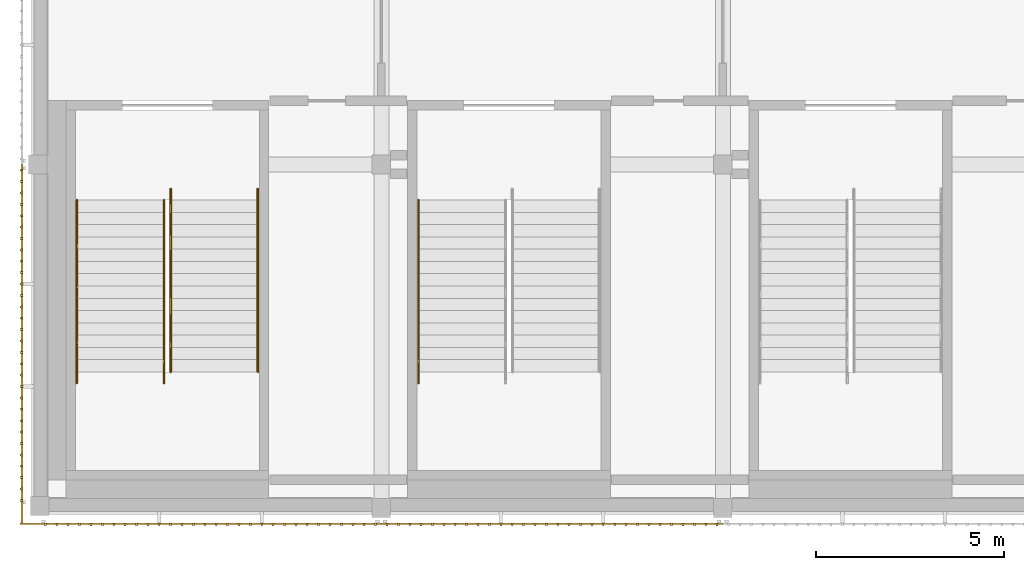
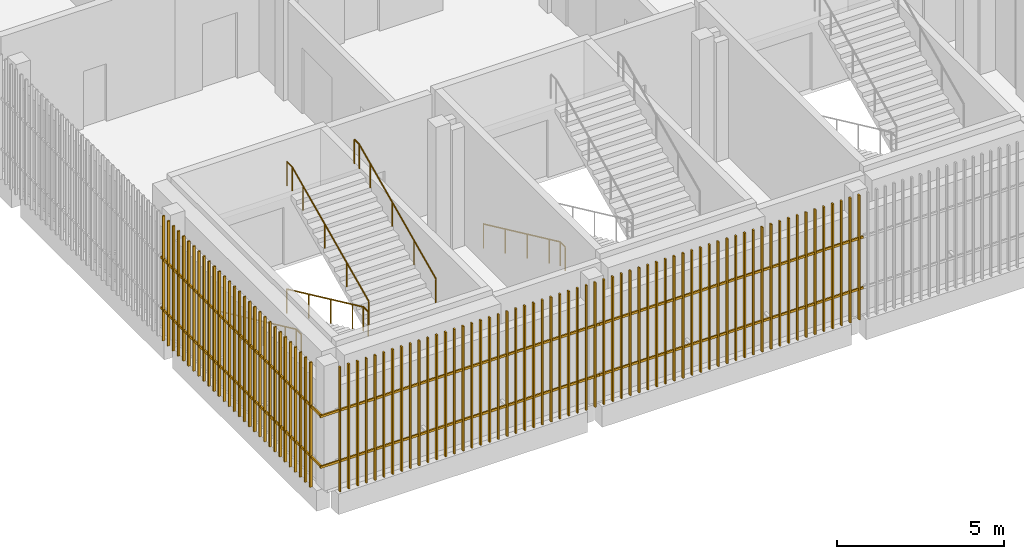
# One storey, part 74 of 91: 5 railings, 3 shading devices.
"""IFC4 building model written with IfcOpenShell, lengths in metres."""

from ifc_helpers import new_model, si_unit, direction, frame, origin, origin_2d, place, context, subcontext, project, spatial, rectangle, circle, extrude, material, type_object, element, save


model = new_model("IFC4")

# Units and contexts
model_context = context("Model", 3, precision=1e-05, world=origin(), true_north=direction((0.0, 1.0)))
body_context = subcontext(model_context, "Body", "Model", "MODEL_VIEW")
ifc_project = project(units=[si_unit("LENGTHUNIT", "METRE"), si_unit("AREAUNIT", "SQUARE_METRE"), si_unit("VOLUMEUNIT", "CUBIC_METRE"), si_unit("PLANEANGLEUNIT", "RADIAN"), si_unit("MASSUNIT", "GRAM", prefix="KILO")], contexts=[model_context])

# Site, building, storey
site_placement = place(None, origin())
site = spatial("IfcSite", under=ifc_project, at=site_placement, CompositionType="ELEMENT")
building_placement = place(site_placement, origin())
building = spatial("IfcBuilding", under=site, at=building_placement, Name="Shirokan Park Arena", CompositionType="ELEMENT")
storey_placement = place(building_placement, frame((0.0, 0.0, 24.570068359375)))
storey = spatial("IfcBuildingStorey", under=building, at=storey_placement, Name="L05", CompositionType="ELEMENT", Elevation=24.570068359375)

# Railings
ifc_material_1 = material(Name="Stainless steel", Category="steel")
railing_type = type_object("IfcRailingType", Name="Stair handrail 900", PredefinedType="HANDRAIL", material=ifc_material_1)
railing_1_placement = place(storey_placement, frame((0.989990234375, 8.14990234375, 0.151611328125)))
element("IfcRailing", 1, at=railing_1_placement, inside=storey, type_object=railing_type, Name="Handrail Exit Stair 1.A L05 to L06", PredefinedType="HANDRAIL", context=body_context, shape_type="SweptSolid", body=[
    extrude(circle(Radius=0.02392578125, at=origin_2d()), frame((0.0, 0.0, 0.8759765625), z_axis=(0.0, -0.906999720516, 0.421131222998), x_axis=(1.0, 0.0, 0.0)), (0.0, 0.0, 1.0), 1.440673828125),
    extrude(circle(Radius=0.02392578125, at=origin_2d()), frame((0.0, -1.306640625, 1.482421875), z_axis=(0.0, -0.907029769225, 0.421066500378), x_axis=(1.0, 0.0, 0.0)), (0.0, 0.0, 1.0), 1.44091796875),
    extrude(circle(Radius=0.02392578125, at=origin_2d()), frame((0.0, -2.613525390625, 2.08935546875), z_axis=(0.0, -0.907029769225, 0.421066500378), x_axis=(1.0, 0.0, 0.0)), (0.0, 0.0, 1.0), 1.44091796875),
    extrude(circle(Radius=0.02392578125, at=origin_2d()), frame((0.0, -3.92041015625, 2.69580078125), z_axis=(0.0, -0.907064445915, 0.420991794405), x_axis=(1.0, 0.0, 0.0)), (0.0, 0.0, 1.0), 0.72021484375),
    extrude(circle(Radius=0.02392578125, at=origin_2d()), frame((0.0, -4.57373046875, 2.9990234375), z_axis=(0.0, -1.0, 0.0), x_axis=(1.0, 0.0, 0.0)), (0.0, 0.0, 1.0), 0.300048828125),
    extrude(circle(Radius=0.02099609375, at=origin_2d()), origin(), (0.0, 0.0, 1.0), 0.851806640625),
    extrude(circle(Radius=0.02099609375, at=origin_2d()), frame((0.0, -1.306640625, 0.606689453125)), (0.0, 0.0, 1.0), 0.851806640625),
    extrude(circle(Radius=0.02099609375, at=origin_2d()), frame((0.0, -2.613525390625, 1.21337890625)), (0.0, 0.0, 1.0), 0.851806640625),
    extrude(circle(Radius=0.02099609375, at=origin_2d()), frame((0.0, -3.92041015625, 1.820068359375)), (0.0, 0.0, 1.0), 0.851806640625),
    extrude(circle(Radius=0.02099609375, at=origin_2d()), frame((0.0, -4.57373046875, 2.123291015625)), (0.0, 0.0, 1.0), 0.851806640625),
    extrude(circle(Radius=0.02099609375, at=origin_2d()), frame((0.0, -4.873779296875, 2.123291015625)), (0.0, 0.0, 1.0), 0.851806640625),
])
railing_2_placement = place(storey_placement, frame((3.31005859375, 8.14990234375, 0.151611328125)))
element("IfcRailing", 2, at=railing_2_placement, inside=storey, type_object=railing_type, Name="Handrail Exit Stair 1.A L05 to L06", PredefinedType="HANDRAIL", context=body_context, shape_type="SweptSolid", body=[
    extrude(circle(Radius=0.02392578125, at=origin_2d()), frame((0.0, 0.0, 0.8759765625), z_axis=(0.0, -0.906999720516, 0.421131222998), x_axis=(1.0, 0.0, 0.0)), (0.0, 0.0, 1.0), 1.440673828125),
    extrude(circle(Radius=0.02392578125, at=origin_2d()), frame((0.0, -1.306640625, 1.482421875), z_axis=(0.0, -0.907029769225, 0.421066500378), x_axis=(1.0, 0.0, 0.0)), (0.0, 0.0, 1.0), 1.44091796875),
    extrude(circle(Radius=0.02392578125, at=origin_2d()), frame((0.0, -2.613525390625, 2.08935546875), z_axis=(0.0, -0.907029769225, 0.421066500378), x_axis=(1.0, 0.0, 0.0)), (0.0, 0.0, 1.0), 1.44091796875),
    extrude(circle(Radius=0.02392578125, at=origin_2d()), frame((0.0, -3.92041015625, 2.69580078125), z_axis=(0.0, -0.907064445915, 0.420991794405), x_axis=(1.0, 0.0, 0.0)), (0.0, 0.0, 1.0), 0.72021484375),
    extrude(circle(Radius=0.02392578125, at=origin_2d()), frame((0.0, -4.57373046875, 2.9990234375), z_axis=(0.0, -1.0, 0.0), x_axis=(1.0, 0.0, 0.0)), (0.0, 0.0, 1.0), 0.300048828125),
    extrude(circle(Radius=0.02099609375, at=origin_2d()), origin(), (0.0, 0.0, 1.0), 0.851806640625),
    extrude(circle(Radius=0.02099609375, at=origin_2d()), frame((0.0, -1.306640625, 0.606689453125)), (0.0, 0.0, 1.0), 0.851806640625),
    extrude(circle(Radius=0.02099609375, at=origin_2d()), frame((0.0, -2.613525390625, 1.21337890625)), (0.0, 0.0, 1.0), 0.851806640625),
    extrude(circle(Radius=0.02099609375, at=origin_2d()), frame((0.0, -3.92041015625, 1.820068359375)), (0.0, 0.0, 1.0), 0.851806640625),
    extrude(circle(Radius=0.02099609375, at=origin_2d()), frame((0.0, -4.57373046875, 2.123291015625)), (0.0, 0.0, 1.0), 0.851806640625),
    extrude(circle(Radius=0.02099609375, at=origin_2d()), frame((0.0, -4.873779296875, 2.123291015625)), (0.0, 0.0, 1.0), 0.851806640625),
])
railing_3_placement = place(storey_placement, frame((3.489990234375, 3.576171875, 2.426513671875)))
element("IfcRailing", 3, at=railing_3_placement, inside=storey, type_object=railing_type, Name="Handrail Exit Stair 1.A L05 to L06", PredefinedType="HANDRAIL", context=body_context, shape_type="SweptSolid", body=[
    extrude(circle(Radius=0.02392578125, at=origin_2d()), frame((0.0, 0.0, 0.8759765625), z_axis=(0.0, 0.907029769225, 0.421066500378), x_axis=(-1.0, 0.0, 0.0)), (0.0, 0.0, 1.0), 1.44091796875),
    extrude(circle(Radius=0.02392578125, at=origin_2d()), frame((0.0, 1.306884765625, 1.482421875), z_axis=(0.0, 0.906999720516, 0.421131222998), x_axis=(-1.0, 0.0, 0.0)), (0.0, 0.0, 1.0), 1.440673828125),
    extrude(circle(Radius=0.02392578125, at=origin_2d()), frame((0.0, 2.613525390625, 2.08935546875), z_axis=(0.0, 0.907029769225, 0.421066500378), x_axis=(-1.0, 0.0, 0.0)), (0.0, 0.0, 1.0), 1.44091796875),
    extrude(circle(Radius=0.02392578125, at=origin_2d()), frame((0.0, 3.92041015625, 2.69580078125), z_axis=(0.0, 0.906934982928, 0.421270621741), x_axis=(-1.0, 0.0, 0.0)), (0.0, 0.0, 1.0), 0.720458984375),
    extrude(circle(Radius=0.02392578125, at=origin_2d()), frame((0.0, 4.57373046875, 2.99951171875), z_axis=(0.0, 1.0, 0.0), x_axis=(-1.0, 0.0, 0.0)), (0.0, 0.0, 1.0), 0.300048828125),
    extrude(circle(Radius=0.02099609375, at=origin_2d()), origin(), (0.0, 0.0, 1.0), 0.851806640625),
    extrude(circle(Radius=0.02099609375, at=origin_2d()), frame((0.0, 1.306884765625, 0.606689453125)), (0.0, 0.0, 1.0), 0.851806640625),
    extrude(circle(Radius=0.02099609375, at=origin_2d()), frame((0.0, 2.613525390625, 1.21337890625)), (0.0, 0.0, 1.0), 0.851806640625),
    extrude(circle(Radius=0.02099609375, at=origin_2d()), frame((0.0, 3.92041015625, 1.820068359375)), (0.0, 0.0, 1.0), 0.851806640625),
    extrude(circle(Radius=0.02099609375, at=origin_2d()), frame((0.0, 4.57373046875, 2.12353515625)), (0.0, 0.0, 1.0), 0.851806640625),
    extrude(circle(Radius=0.02099609375, at=origin_2d()), frame((0.0, 4.873779296875, 2.12353515625)), (0.0, 0.0, 1.0), 0.851806640625),
])
railing_4_placement = place(storey_placement, frame((5.81005859375, 3.576171875, 2.426513671875)))
element("IfcRailing", 4, at=railing_4_placement, inside=storey, type_object=railing_type, Name="Handrail Exit Stair 1.A L05 to L06", PredefinedType="HANDRAIL", context=body_context, shape_type="SweptSolid", body=[
    extrude(circle(Radius=0.02392578125, at=origin_2d()), frame((0.0, 0.0, 0.8759765625), z_axis=(0.0, 0.907029769225, 0.421066500378), x_axis=(-1.0, 0.0, 0.0)), (0.0, 0.0, 1.0), 1.44091796875),
    extrude(circle(Radius=0.02392578125, at=origin_2d()), frame((0.0, 1.306884765625, 1.482421875), z_axis=(0.0, 0.906999720516, 0.421131222998), x_axis=(-1.0, 0.0, 0.0)), (0.0, 0.0, 1.0), 1.440673828125),
    extrude(circle(Radius=0.02392578125, at=origin_2d()), frame((0.0, 2.613525390625, 2.08935546875), z_axis=(0.0, 0.907029769225, 0.421066500378), x_axis=(-1.0, 0.0, 0.0)), (0.0, 0.0, 1.0), 1.44091796875),
    extrude(circle(Radius=0.02392578125, at=origin_2d()), frame((0.0, 3.92041015625, 2.69580078125), z_axis=(0.0, 0.906934982928, 0.421270621741), x_axis=(-1.0, 0.0, 0.0)), (0.0, 0.0, 1.0), 0.720458984375),
    extrude(circle(Radius=0.02392578125, at=origin_2d()), frame((0.0, 4.57373046875, 2.99951171875), z_axis=(0.0, 1.0, 0.0), x_axis=(-1.0, 0.0, 0.0)), (0.0, 0.0, 1.0), 0.300048828125),
    extrude(circle(Radius=0.02099609375, at=origin_2d()), origin(), (0.0, 0.0, 1.0), 0.851806640625),
    extrude(circle(Radius=0.02099609375, at=origin_2d()), frame((0.0, 1.306884765625, 0.606689453125)), (0.0, 0.0, 1.0), 0.851806640625),
    extrude(circle(Radius=0.02099609375, at=origin_2d()), frame((0.0, 2.613525390625, 1.21337890625)), (0.0, 0.0, 1.0), 0.851806640625),
    extrude(circle(Radius=0.02099609375, at=origin_2d()), frame((0.0, 3.92041015625, 1.820068359375)), (0.0, 0.0, 1.0), 0.851806640625),
    extrude(circle(Radius=0.02099609375, at=origin_2d()), frame((0.0, 4.57373046875, 2.12353515625)), (0.0, 0.0, 1.0), 0.851806640625),
    extrude(circle(Radius=0.02099609375, at=origin_2d()), frame((0.0, 4.873779296875, 2.12353515625)), (0.0, 0.0, 1.0), 0.851806640625),
])
railing_5_placement = place(storey_placement, frame((10.090087890625, 8.14990234375, 0.151611328125)))
element("IfcRailing", 5, at=railing_5_placement, inside=storey, type_object=railing_type, Name="Handrail Exit Stair 1.B L05 to L06", PredefinedType="HANDRAIL", context=body_context, shape_type="SweptSolid", body=[
    extrude(circle(Radius=0.02392578125, at=origin_2d()), frame((0.0, 0.0, 0.8759765625), z_axis=(0.0, -0.906999720516, 0.421131222998), x_axis=(1.0, 0.0, 0.0)), (0.0, 0.0, 1.0), 1.440673828125),
    extrude(circle(Radius=0.02392578125, at=origin_2d()), frame((0.0, -1.306640625, 1.482421875), z_axis=(0.0, -0.907029769225, 0.421066500378), x_axis=(1.0, 0.0, 0.0)), (0.0, 0.0, 1.0), 1.44091796875),
    extrude(circle(Radius=0.02392578125, at=origin_2d()), frame((0.0, -2.613525390625, 2.08935546875), z_axis=(0.0, -0.907029769225, 0.421066500378), x_axis=(1.0, 0.0, 0.0)), (0.0, 0.0, 1.0), 1.44091796875),
    extrude(circle(Radius=0.02392578125, at=origin_2d()), frame((0.0, -3.92041015625, 2.69580078125), z_axis=(0.0, -0.907064445915, 0.420991794405), x_axis=(1.0, 0.0, 0.0)), (0.0, 0.0, 1.0), 0.72021484375),
    extrude(circle(Radius=0.02392578125, at=origin_2d()), frame((0.0, -4.57373046875, 2.9990234375), z_axis=(0.0, -1.0, 0.0), x_axis=(1.0, 0.0, 0.0)), (0.0, 0.0, 1.0), 0.300048828125),
    extrude(circle(Radius=0.02099609375, at=origin_2d()), origin(), (0.0, 0.0, 1.0), 0.851806640625),
    extrude(circle(Radius=0.02099609375, at=origin_2d()), frame((0.0, -1.306640625, 0.606689453125)), (0.0, 0.0, 1.0), 0.851806640625),
    extrude(circle(Radius=0.02099609375, at=origin_2d()), frame((0.0, -2.613525390625, 1.21337890625)), (0.0, 0.0, 1.0), 0.851806640625),
    extrude(circle(Radius=0.02099609375, at=origin_2d()), frame((0.0, -3.92041015625, 1.820068359375)), (0.0, 0.0, 1.0), 0.851806640625),
    extrude(circle(Radius=0.02099609375, at=origin_2d()), frame((0.0, -4.57373046875, 2.123291015625)), (0.0, 0.0, 1.0), 0.851806640625),
    extrude(circle(Radius=0.02099609375, at=origin_2d()), frame((0.0, -4.873779296875, 2.123291015625)), (0.0, 0.0, 1.0), 0.851806640625),
])

# Shading devices
ifc_material_2 = material(Name="Timber louvre veil (cedar)", Category="wood")
shading_device_type = type_object("IfcShadingDeviceType", Name="Timber louvre veil panel", PredefinedType="JALOUSIE", material=ifc_material_2)
shading_device_1_placement = place(storey_placement, origin())
element("IfcShadingDevice", 6, at=shading_device_1_placement, inside=storey, type_object=shading_device_type, Name="Timber louvre veil south bay 1 L05", PredefinedType="JALOUSIE", context=body_context, shape_type="SweptSolid", body=[
    extrude(rectangle(XDim=0.050048828125, YDim=0.080078125, at=origin_2d()), frame((0.151611328125, -0.485107421875, 0.0), z_axis=(0.0, 0.0, 1.0), x_axis=(1.0, 0.0, 0.0)), (0.0, 0.0, 1.0), 4.550048828125),
    extrude(rectangle(XDim=0.050048828125, YDim=0.080078125, at=origin_2d()), frame((0.455078125, -0.485107421875, 0.0), z_axis=(0.0, 0.0, 1.0), x_axis=(1.0, 0.0, 0.0)), (0.0, 0.0, 1.0), 4.550048828125),
    extrude(rectangle(XDim=0.050048828125, YDim=0.080078125, at=origin_2d()), frame((0.75830078125, -0.485107421875, 0.0), z_axis=(0.0, 0.0, 1.0), x_axis=(1.0, 0.0, 0.0)), (0.0, 0.0, 1.0), 4.550048828125),
    extrude(rectangle(XDim=0.050048828125, YDim=0.080078125, at=origin_2d()), frame((1.061767578125, -0.485107421875, 0.0), z_axis=(0.0, 0.0, 1.0), x_axis=(1.0, 0.0, 0.0)), (0.0, 0.0, 1.0), 4.550048828125),
    extrude(rectangle(XDim=0.050048828125, YDim=0.080078125, at=origin_2d()), frame((1.364990234375, -0.485107421875, 0.0), z_axis=(0.0, 0.0, 1.0), x_axis=(1.0, 0.0, 0.0)), (0.0, 0.0, 1.0), 4.550048828125),
    extrude(rectangle(XDim=0.050048828125, YDim=0.080078125, at=origin_2d()), frame((1.668212890625, -0.485107421875, 0.0), z_axis=(0.0, 0.0, 1.0), x_axis=(1.0, 0.0, 0.0)), (0.0, 0.0, 1.0), 4.550048828125),
    extrude(rectangle(XDim=0.050048828125, YDim=0.080078125, at=origin_2d()), frame((1.9716796875, -0.485107421875, 0.0), z_axis=(0.0, 0.0, 1.0), x_axis=(1.0, 0.0, 0.0)), (0.0, 0.0, 1.0), 4.550048828125),
    extrude(rectangle(XDim=0.050048828125, YDim=0.080078125, at=origin_2d()), frame((2.27490234375, -0.485107421875, 0.0), z_axis=(0.0, 0.0, 1.0), x_axis=(1.0, 0.0, 0.0)), (0.0, 0.0, 1.0), 4.550048828125),
    extrude(rectangle(XDim=0.050048828125, YDim=0.080078125, at=origin_2d()), frame((2.578369140625, -0.485107421875, 0.0), z_axis=(0.0, 0.0, 1.0), x_axis=(1.0, 0.0, 0.0)), (0.0, 0.0, 1.0), 4.550048828125),
    extrude(rectangle(XDim=0.050048828125, YDim=0.080078125, at=origin_2d()), frame((2.881591796875, -0.485107421875, 0.0), z_axis=(0.0, 0.0, 1.0), x_axis=(1.0, 0.0, 0.0)), (0.0, 0.0, 1.0), 4.550048828125),
    extrude(rectangle(XDim=0.050048828125, YDim=0.080078125, at=origin_2d()), frame((3.18505859375, -0.485107421875, 0.0), z_axis=(0.0, 0.0, 1.0), x_axis=(1.0, 0.0, 0.0)), (0.0, 0.0, 1.0), 4.550048828125),
    extrude(rectangle(XDim=0.050048828125, YDim=0.080078125, at=origin_2d()), frame((3.48828125, -0.485107421875, 0.0), z_axis=(0.0, 0.0, 1.0), x_axis=(1.0, 0.0, 0.0)), (0.0, 0.0, 1.0), 4.550048828125),
    extrude(rectangle(XDim=0.050048828125, YDim=0.080078125, at=origin_2d()), frame((3.791748046875, -0.485107421875, 0.0), z_axis=(0.0, 0.0, 1.0), x_axis=(1.0, 0.0, 0.0)), (0.0, 0.0, 1.0), 4.550048828125),
    extrude(rectangle(XDim=0.050048828125, YDim=0.080078125, at=origin_2d()), frame((4.094970703125, -0.485107421875, 0.0), z_axis=(0.0, 0.0, 1.0), x_axis=(1.0, 0.0, 0.0)), (0.0, 0.0, 1.0), 4.550048828125),
    extrude(rectangle(XDim=0.050048828125, YDim=0.080078125, at=origin_2d()), frame((4.3984375, -0.485107421875, 0.0), z_axis=(0.0, 0.0, 1.0), x_axis=(1.0, 0.0, 0.0)), (0.0, 0.0, 1.0), 4.550048828125),
    extrude(rectangle(XDim=0.050048828125, YDim=0.080078125, at=origin_2d()), frame((4.70166015625, -0.485107421875, 0.0), z_axis=(0.0, 0.0, 1.0), x_axis=(1.0, 0.0, 0.0)), (0.0, 0.0, 1.0), 4.550048828125),
    extrude(rectangle(XDim=0.050048828125, YDim=0.080078125, at=origin_2d()), frame((5.0048828125, -0.485107421875, 0.0), z_axis=(0.0, 0.0, 1.0), x_axis=(1.0, 0.0, 0.0)), (0.0, 0.0, 1.0), 4.550048828125),
    extrude(rectangle(XDim=0.050048828125, YDim=0.080078125, at=origin_2d()), frame((5.308349609375, -0.485107421875, 0.0), z_axis=(0.0, 0.0, 1.0), x_axis=(1.0, 0.0, 0.0)), (0.0, 0.0, 1.0), 4.550048828125),
    extrude(rectangle(XDim=0.050048828125, YDim=0.080078125, at=origin_2d()), frame((5.611572265625, -0.485107421875, 0.0), z_axis=(0.0, 0.0, 1.0), x_axis=(1.0, 0.0, 0.0)), (0.0, 0.0, 1.0), 4.550048828125),
    extrude(rectangle(XDim=0.050048828125, YDim=0.080078125, at=origin_2d()), frame((5.9150390625, -0.485107421875, 0.0), z_axis=(0.0, 0.0, 1.0), x_axis=(1.0, 0.0, 0.0)), (0.0, 0.0, 1.0), 4.550048828125),
    extrude(rectangle(XDim=0.050048828125, YDim=0.080078125, at=origin_2d()), frame((6.21826171875, -0.485107421875, 0.0), z_axis=(0.0, 0.0, 1.0), x_axis=(1.0, 0.0, 0.0)), (0.0, 0.0, 1.0), 4.550048828125),
    extrude(rectangle(XDim=0.050048828125, YDim=0.080078125, at=origin_2d()), frame((6.521728515625, -0.485107421875, 0.0), z_axis=(0.0, 0.0, 1.0), x_axis=(1.0, 0.0, 0.0)), (0.0, 0.0, 1.0), 4.550048828125),
    extrude(rectangle(XDim=0.050048828125, YDim=0.080078125, at=origin_2d()), frame((6.824951171875, -0.485107421875, 0.0), z_axis=(0.0, 0.0, 1.0), x_axis=(1.0, 0.0, 0.0)), (0.0, 0.0, 1.0), 4.550048828125),
    extrude(rectangle(XDim=0.050048828125, YDim=0.080078125, at=origin_2d()), frame((7.12841796875, -0.485107421875, 0.0), z_axis=(0.0, 0.0, 1.0), x_axis=(1.0, 0.0, 0.0)), (0.0, 0.0, 1.0), 4.550048828125),
    extrude(rectangle(XDim=0.050048828125, YDim=0.080078125, at=origin_2d()), frame((7.431640625, -0.485107421875, 0.0), z_axis=(0.0, 0.0, 1.0), x_axis=(1.0, 0.0, 0.0)), (0.0, 0.0, 1.0), 4.550048828125),
    extrude(rectangle(XDim=0.050048828125, YDim=0.080078125, at=origin_2d()), frame((7.735107421875, -0.485107421875, 0.0), z_axis=(0.0, 0.0, 1.0), x_axis=(1.0, 0.0, 0.0)), (0.0, 0.0, 1.0), 4.550048828125),
    extrude(rectangle(XDim=0.050048828125, YDim=0.080078125, at=origin_2d()), frame((8.038330078125, -0.485107421875, 0.0), z_axis=(0.0, 0.0, 1.0), x_axis=(1.0, 0.0, 0.0)), (0.0, 0.0, 1.0), 4.550048828125),
    extrude(rectangle(XDim=0.050048828125, YDim=0.080078125, at=origin_2d()), frame((8.341552734375, -0.485107421875, 0.0), z_axis=(0.0, 0.0, 1.0), x_axis=(1.0, 0.0, 0.0)), (0.0, 0.0, 1.0), 4.550048828125),
    extrude(rectangle(XDim=0.050048828125, YDim=0.080078125, at=origin_2d()), frame((8.64501953125, -0.485107421875, 0.0), z_axis=(0.0, 0.0, 1.0), x_axis=(1.0, 0.0, 0.0)), (0.0, 0.0, 1.0), 4.550048828125),
    extrude(rectangle(XDim=0.050048828125, YDim=0.080078125, at=origin_2d()), frame((8.9482421875, -0.485107421875, 0.0), z_axis=(0.0, 0.0, 1.0), x_axis=(1.0, 0.0, 0.0)), (0.0, 0.0, 1.0), 4.550048828125),
    extrude(rectangle(XDim=9.625, YDim=0.050048828125, at=origin_2d()), frame((4.28759765625, -0.469970703125, 1.059814453125), z_axis=(0.0, 0.0, 1.0), x_axis=(1.0, 0.0, 0.0)), (0.0, 0.0, 1.0), 0.080078125),
    extrude(rectangle(XDim=9.625, YDim=0.050048828125, at=origin_2d()), frame((4.28759765625, -0.469970703125, 2.909912109375), z_axis=(0.0, 0.0, 1.0), x_axis=(1.0, 0.0, 0.0)), (0.0, 0.0, 1.0), 0.080078125),
])
shading_device_2_placement = place(storey_placement, origin())
element("IfcShadingDevice", 7, at=shading_device_2_placement, inside=storey, type_object=shading_device_type, Name="Timber louvre veil south bay 2 L05", PredefinedType="JALOUSIE", context=body_context, shape_type="SweptSolid", body=[
    extrude(rectangle(XDim=0.050048828125, YDim=0.080078125, at=origin_2d()), frame((9.251708984375, -0.485107421875, 0.0), z_axis=(0.0, 0.0, 1.0), x_axis=(1.0, 0.0, 0.0)), (0.0, 0.0, 1.0), 4.550048828125),
    extrude(rectangle(XDim=0.050048828125, YDim=0.080078125, at=origin_2d()), frame((9.554931640625, -0.485107421875, 0.0), z_axis=(0.0, 0.0, 1.0), x_axis=(1.0, 0.0, 0.0)), (0.0, 0.0, 1.0), 4.550048828125),
    extrude(rectangle(XDim=0.050048828125, YDim=0.080078125, at=origin_2d()), frame((9.8583984375, -0.485107421875, 0.0), z_axis=(0.0, 0.0, 1.0), x_axis=(1.0, 0.0, 0.0)), (0.0, 0.0, 1.0), 4.550048828125),
    extrude(rectangle(XDim=0.050048828125, YDim=0.080078125, at=origin_2d()), frame((10.16162109375, -0.485107421875, 0.0), z_axis=(0.0, 0.0, 1.0), x_axis=(1.0, 0.0, 0.0)), (0.0, 0.0, 1.0), 4.550048828125),
    extrude(rectangle(XDim=0.050048828125, YDim=0.080078125, at=origin_2d()), frame((10.465087890625, -0.485107421875, 0.0), z_axis=(0.0, 0.0, 1.0), x_axis=(1.0, 0.0, 0.0)), (0.0, 0.0, 1.0), 4.550048828125),
    extrude(rectangle(XDim=0.050048828125, YDim=0.080078125, at=origin_2d()), frame((10.768310546875, -0.485107421875, 0.0), z_axis=(0.0, 0.0, 1.0), x_axis=(1.0, 0.0, 0.0)), (0.0, 0.0, 1.0), 4.550048828125),
    extrude(rectangle(XDim=0.050048828125, YDim=0.080078125, at=origin_2d()), frame((11.07177734375, -0.485107421875, 0.0), z_axis=(0.0, 0.0, 1.0), x_axis=(1.0, 0.0, 0.0)), (0.0, 0.0, 1.0), 4.550048828125),
    extrude(rectangle(XDim=0.050048828125, YDim=0.080078125, at=origin_2d()), frame((11.375, -0.485107421875, 0.0), z_axis=(0.0, 0.0, 1.0), x_axis=(1.0, 0.0, 0.0)), (0.0, 0.0, 1.0), 4.550048828125),
    extrude(rectangle(XDim=0.050048828125, YDim=0.080078125, at=origin_2d()), frame((11.67822265625, -0.485107421875, 0.0), z_axis=(0.0, 0.0, 1.0), x_axis=(1.0, 0.0, 0.0)), (0.0, 0.0, 1.0), 4.550048828125),
    extrude(rectangle(XDim=0.050048828125, YDim=0.080078125, at=origin_2d()), frame((11.981689453125, -0.485107421875, 0.0), z_axis=(0.0, 0.0, 1.0), x_axis=(1.0, 0.0, 0.0)), (0.0, 0.0, 1.0), 4.550048828125),
    extrude(rectangle(XDim=0.050048828125, YDim=0.080078125, at=origin_2d()), frame((12.284912109375, -0.485107421875, 0.0), z_axis=(0.0, 0.0, 1.0), x_axis=(1.0, 0.0, 0.0)), (0.0, 0.0, 1.0), 4.550048828125),
    extrude(rectangle(XDim=0.050048828125, YDim=0.080078125, at=origin_2d()), frame((12.58837890625, -0.485107421875, 0.0), z_axis=(0.0, 0.0, 1.0), x_axis=(1.0, 0.0, 0.0)), (0.0, 0.0, 1.0), 4.550048828125),
    extrude(rectangle(XDim=0.050048828125, YDim=0.080078125, at=origin_2d()), frame((12.8916015625, -0.485107421875, 0.0), z_axis=(0.0, 0.0, 1.0), x_axis=(1.0, 0.0, 0.0)), (0.0, 0.0, 1.0), 4.550048828125),
    extrude(rectangle(XDim=0.050048828125, YDim=0.080078125, at=origin_2d()), frame((13.195068359375, -0.485107421875, 0.0), z_axis=(0.0, 0.0, 1.0), x_axis=(1.0, 0.0, 0.0)), (0.0, 0.0, 1.0), 4.550048828125),
    extrude(rectangle(XDim=0.050048828125, YDim=0.080078125, at=origin_2d()), frame((13.498291015625, -0.485107421875, 0.0), z_axis=(0.0, 0.0, 1.0), x_axis=(1.0, 0.0, 0.0)), (0.0, 0.0, 1.0), 4.550048828125),
    extrude(rectangle(XDim=0.050048828125, YDim=0.080078125, at=origin_2d()), frame((13.8017578125, -0.485107421875, 0.0), z_axis=(0.0, 0.0, 1.0), x_axis=(1.0, 0.0, 0.0)), (0.0, 0.0, 1.0), 4.550048828125),
    extrude(rectangle(XDim=0.050048828125, YDim=0.080078125, at=origin_2d()), frame((14.10498046875, -0.485107421875, 0.0), z_axis=(0.0, 0.0, 1.0), x_axis=(1.0, 0.0, 0.0)), (0.0, 0.0, 1.0), 4.550048828125),
    extrude(rectangle(XDim=0.050048828125, YDim=0.080078125, at=origin_2d()), frame((14.408447265625, -0.485107421875, 0.0), z_axis=(0.0, 0.0, 1.0), x_axis=(1.0, 0.0, 0.0)), (0.0, 0.0, 1.0), 4.550048828125),
    extrude(rectangle(XDim=0.050048828125, YDim=0.080078125, at=origin_2d()), frame((14.711669921875, -0.485107421875, 0.0), z_axis=(0.0, 0.0, 1.0), x_axis=(1.0, 0.0, 0.0)), (0.0, 0.0, 1.0), 4.550048828125),
    extrude(rectangle(XDim=0.050048828125, YDim=0.080078125, at=origin_2d()), frame((15.014892578125, -0.485107421875, 0.0), z_axis=(0.0, 0.0, 1.0), x_axis=(1.0, 0.0, 0.0)), (0.0, 0.0, 1.0), 4.550048828125),
    extrude(rectangle(XDim=0.050048828125, YDim=0.080078125, at=origin_2d()), frame((15.318359375, -0.485107421875, 0.0), z_axis=(0.0, 0.0, 1.0), x_axis=(1.0, 0.0, 0.0)), (0.0, 0.0, 1.0), 4.550048828125),
    extrude(rectangle(XDim=0.050048828125, YDim=0.080078125, at=origin_2d()), frame((15.62158203125, -0.485107421875, 0.0), z_axis=(0.0, 0.0, 1.0), x_axis=(1.0, 0.0, 0.0)), (0.0, 0.0, 1.0), 4.550048828125),
    extrude(rectangle(XDim=0.050048828125, YDim=0.080078125, at=origin_2d()), frame((15.925048828125, -0.485107421875, 0.0), z_axis=(0.0, 0.0, 1.0), x_axis=(1.0, 0.0, 0.0)), (0.0, 0.0, 1.0), 4.550048828125),
    extrude(rectangle(XDim=0.050048828125, YDim=0.080078125, at=origin_2d()), frame((16.228271484375, -0.485107421875, 0.0), z_axis=(0.0, 0.0, 1.0), x_axis=(1.0, 0.0, 0.0)), (0.0, 0.0, 1.0), 4.550048828125),
    extrude(rectangle(XDim=0.050048828125, YDim=0.080078125, at=origin_2d()), frame((16.53173828125, -0.485107421875, 0.0), z_axis=(0.0, 0.0, 1.0), x_axis=(1.0, 0.0, 0.0)), (0.0, 0.0, 1.0), 4.550048828125),
    extrude(rectangle(XDim=0.050048828125, YDim=0.080078125, at=origin_2d()), frame((16.8349609375, -0.485107421875, 0.0), z_axis=(0.0, 0.0, 1.0), x_axis=(1.0, 0.0, 0.0)), (0.0, 0.0, 1.0), 4.550048828125),
    extrude(rectangle(XDim=0.050048828125, YDim=0.080078125, at=origin_2d()), frame((17.138427734375, -0.485107421875, 0.0), z_axis=(0.0, 0.0, 1.0), x_axis=(1.0, 0.0, 0.0)), (0.0, 0.0, 1.0), 4.550048828125),
    extrude(rectangle(XDim=0.050048828125, YDim=0.080078125, at=origin_2d()), frame((17.441650390625, -0.485107421875, 0.0), z_axis=(0.0, 0.0, 1.0), x_axis=(1.0, 0.0, 0.0)), (0.0, 0.0, 1.0), 4.550048828125),
    extrude(rectangle(XDim=0.050048828125, YDim=0.080078125, at=origin_2d()), frame((17.7451171875, -0.485107421875, 0.0), z_axis=(0.0, 0.0, 1.0), x_axis=(1.0, 0.0, 0.0)), (0.0, 0.0, 1.0), 4.550048828125),
    extrude(rectangle(XDim=0.050048828125, YDim=0.080078125, at=origin_2d()), frame((18.04833984375, -0.485107421875, 0.0), z_axis=(0.0, 0.0, 1.0), x_axis=(1.0, 0.0, 0.0)), (0.0, 0.0, 1.0), 4.550048828125),
    extrude(rectangle(XDim=9.10009765625, YDim=0.050048828125, at=origin_2d()), frame((13.64990234375, -0.469970703125, 1.059814453125), z_axis=(0.0, 0.0, 1.0), x_axis=(1.0, 0.0, 0.0)), (0.0, 0.0, 1.0), 0.080078125),
    extrude(rectangle(XDim=9.10009765625, YDim=0.050048828125, at=origin_2d()), frame((13.64990234375, -0.469970703125, 2.909912109375), z_axis=(0.0, 0.0, 1.0), x_axis=(1.0, 0.0, 0.0)), (0.0, 0.0, 1.0), 0.080078125),
])
shading_device_3_placement = place(storey_placement, origin())
element("IfcShadingDevice", 8, at=shading_device_3_placement, inside=storey, type_object=shading_device_type, Name="Timber louvre veil west bay 12 L05", PredefinedType="JALOUSIE", context=body_context, shape_type="SweptSolid", body=[
    extrude(rectangle(XDim=0.050048828125, YDim=0.080078125, at=origin_2d()), frame((-0.485107421875, 8.9482421875, 0.0), z_axis=(0.0, 0.0, 1.0), x_axis=(0.0, -1.0, 0.0)), (0.0, 0.0, 1.0), 4.550048828125),
    extrude(rectangle(XDim=0.050048828125, YDim=0.080078125, at=origin_2d()), frame((-0.485107421875, 8.64501953125, 0.0), z_axis=(0.0, 0.0, 1.0), x_axis=(0.0, -1.0, 0.0)), (0.0, 0.0, 1.0), 4.550048828125),
    extrude(rectangle(XDim=0.050048828125, YDim=0.080078125, at=origin_2d()), frame((-0.485107421875, 8.341552734375, 0.0), z_axis=(0.0, 0.0, 1.0), x_axis=(0.0, -1.0, 0.0)), (0.0, 0.0, 1.0), 4.550048828125),
    extrude(rectangle(XDim=0.050048828125, YDim=0.080078125, at=origin_2d()), frame((-0.485107421875, 8.038330078125, 0.0), z_axis=(0.0, 0.0, 1.0), x_axis=(0.0, -1.0, 0.0)), (0.0, 0.0, 1.0), 4.550048828125),
    extrude(rectangle(XDim=0.050048828125, YDim=0.080078125, at=origin_2d()), frame((-0.485107421875, 7.735107421875, 0.0), z_axis=(0.0, 0.0, 1.0), x_axis=(0.0, -1.0, 0.0)), (0.0, 0.0, 1.0), 4.550048828125),
    extrude(rectangle(XDim=0.050048828125, YDim=0.080078125, at=origin_2d()), frame((-0.485107421875, 7.431640625, 0.0), z_axis=(0.0, 0.0, 1.0), x_axis=(0.0, -1.0, 0.0)), (0.0, 0.0, 1.0), 4.550048828125),
    extrude(rectangle(XDim=0.050048828125, YDim=0.080078125, at=origin_2d()), frame((-0.485107421875, 7.12841796875, 0.0), z_axis=(0.0, 0.0, 1.0), x_axis=(0.0, -1.0, 0.0)), (0.0, 0.0, 1.0), 4.550048828125),
    extrude(rectangle(XDim=0.050048828125, YDim=0.080078125, at=origin_2d()), frame((-0.485107421875, 6.824951171875, 0.0), z_axis=(0.0, 0.0, 1.0), x_axis=(0.0, -1.0, 0.0)), (0.0, 0.0, 1.0), 4.550048828125),
    extrude(rectangle(XDim=0.050048828125, YDim=0.080078125, at=origin_2d()), frame((-0.485107421875, 6.521728515625, 0.0), z_axis=(0.0, 0.0, 1.0), x_axis=(0.0, -1.0, 0.0)), (0.0, 0.0, 1.0), 4.550048828125),
    extrude(rectangle(XDim=0.050048828125, YDim=0.080078125, at=origin_2d()), frame((-0.485107421875, 6.21826171875, 0.0), z_axis=(0.0, 0.0, 1.0), x_axis=(0.0, -1.0, 0.0)), (0.0, 0.0, 1.0), 4.550048828125),
    extrude(rectangle(XDim=0.050048828125, YDim=0.080078125, at=origin_2d()), frame((-0.485107421875, 5.9150390625, 0.0), z_axis=(0.0, 0.0, 1.0), x_axis=(0.0, -1.0, 0.0)), (0.0, 0.0, 1.0), 4.550048828125),
    extrude(rectangle(XDim=0.050048828125, YDim=0.080078125, at=origin_2d()), frame((-0.485107421875, 5.611572265625, 0.0), z_axis=(0.0, 0.0, 1.0), x_axis=(0.0, -1.0, 0.0)), (0.0, 0.0, 1.0), 4.550048828125),
    extrude(rectangle(XDim=0.050048828125, YDim=0.080078125, at=origin_2d()), frame((-0.485107421875, 5.308349609375, 0.0), z_axis=(0.0, 0.0, 1.0), x_axis=(0.0, -1.0, 0.0)), (0.0, 0.0, 1.0), 4.550048828125),
    extrude(rectangle(XDim=0.050048828125, YDim=0.080078125, at=origin_2d()), frame((-0.485107421875, 5.0048828125, 0.0), z_axis=(0.0, 0.0, 1.0), x_axis=(0.0, -1.0, 0.0)), (0.0, 0.0, 1.0), 4.550048828125),
    extrude(rectangle(XDim=0.050048828125, YDim=0.080078125, at=origin_2d()), frame((-0.485107421875, 4.70166015625, 0.0), z_axis=(0.0, 0.0, 1.0), x_axis=(0.0, -1.0, 0.0)), (0.0, 0.0, 1.0), 4.550048828125),
    extrude(rectangle(XDim=0.050048828125, YDim=0.080078125, at=origin_2d()), frame((-0.485107421875, 4.3984375, 0.0), z_axis=(0.0, 0.0, 1.0), x_axis=(0.0, -1.0, 0.0)), (0.0, 0.0, 1.0), 4.550048828125),
    extrude(rectangle(XDim=0.050048828125, YDim=0.080078125, at=origin_2d()), frame((-0.485107421875, 4.094970703125, 0.0), z_axis=(0.0, 0.0, 1.0), x_axis=(0.0, -1.0, 0.0)), (0.0, 0.0, 1.0), 4.550048828125),
    extrude(rectangle(XDim=0.050048828125, YDim=0.080078125, at=origin_2d()), frame((-0.485107421875, 3.791748046875, 0.0), z_axis=(0.0, 0.0, 1.0), x_axis=(0.0, -1.0, 0.0)), (0.0, 0.0, 1.0), 4.550048828125),
    extrude(rectangle(XDim=0.050048828125, YDim=0.080078125, at=origin_2d()), frame((-0.485107421875, 3.48828125, 0.0), z_axis=(0.0, 0.0, 1.0), x_axis=(0.0, -1.0, 0.0)), (0.0, 0.0, 1.0), 4.550048828125),
    extrude(rectangle(XDim=0.050048828125, YDim=0.080078125, at=origin_2d()), frame((-0.485107421875, 3.18505859375, 0.0), z_axis=(0.0, 0.0, 1.0), x_axis=(0.0, -1.0, 0.0)), (0.0, 0.0, 1.0), 4.550048828125),
    extrude(rectangle(XDim=0.050048828125, YDim=0.080078125, at=origin_2d()), frame((-0.485107421875, 2.881591796875, 0.0), z_axis=(0.0, 0.0, 1.0), x_axis=(0.0, -1.0, 0.0)), (0.0, 0.0, 1.0), 4.550048828125),
    extrude(rectangle(XDim=0.050048828125, YDim=0.080078125, at=origin_2d()), frame((-0.485107421875, 2.578369140625, 0.0), z_axis=(0.0, 0.0, 1.0), x_axis=(0.0, -1.0, 0.0)), (0.0, 0.0, 1.0), 4.550048828125),
    extrude(rectangle(XDim=0.050048828125, YDim=0.080078125, at=origin_2d()), frame((-0.485107421875, 2.27490234375, 0.0), z_axis=(0.0, 0.0, 1.0), x_axis=(0.0, -1.0, 0.0)), (0.0, 0.0, 1.0), 4.550048828125),
    extrude(rectangle(XDim=0.050048828125, YDim=0.080078125, at=origin_2d()), frame((-0.485107421875, 1.9716796875, 0.0), z_axis=(0.0, 0.0, 1.0), x_axis=(0.0, -1.0, 0.0)), (0.0, 0.0, 1.0), 4.550048828125),
    extrude(rectangle(XDim=0.050048828125, YDim=0.080078125, at=origin_2d()), frame((-0.485107421875, 1.668212890625, 0.0), z_axis=(0.0, 0.0, 1.0), x_axis=(0.0, -1.0, 0.0)), (0.0, 0.0, 1.0), 4.550048828125),
    extrude(rectangle(XDim=0.050048828125, YDim=0.080078125, at=origin_2d()), frame((-0.485107421875, 1.364990234375, 0.0), z_axis=(0.0, 0.0, 1.0), x_axis=(0.0, -1.0, 0.0)), (0.0, 0.0, 1.0), 4.550048828125),
    extrude(rectangle(XDim=0.050048828125, YDim=0.080078125, at=origin_2d()), frame((-0.485107421875, 1.061767578125, 0.0), z_axis=(0.0, 0.0, 1.0), x_axis=(0.0, -1.0, 0.0)), (0.0, 0.0, 1.0), 4.550048828125),
    extrude(rectangle(XDim=0.050048828125, YDim=0.080078125, at=origin_2d()), frame((-0.485107421875, 0.75830078125, 0.0), z_axis=(0.0, 0.0, 1.0), x_axis=(0.0, -1.0, 0.0)), (0.0, 0.0, 1.0), 4.550048828125),
    extrude(rectangle(XDim=0.050048828125, YDim=0.080078125, at=origin_2d()), frame((-0.485107421875, 0.455078125, 0.0), z_axis=(0.0, 0.0, 1.0), x_axis=(0.0, -1.0, 0.0)), (0.0, 0.0, 1.0), 4.550048828125),
    extrude(rectangle(XDim=0.050048828125, YDim=0.080078125, at=origin_2d()), frame((-0.485107421875, 0.151611328125, 0.0), z_axis=(0.0, 0.0, 1.0), x_axis=(0.0, -1.0, 0.0)), (0.0, 0.0, 1.0), 4.550048828125),
    extrude(rectangle(XDim=9.544921875, YDim=0.050048828125, at=origin_2d()), frame((-0.469970703125, 4.327392578125, 1.059814453125), z_axis=(0.0, 0.0, 1.0), x_axis=(0.0, -1.0, 0.0)), (0.0, 0.0, 1.0), 0.080078125),
    extrude(rectangle(XDim=9.544921875, YDim=0.050048828125, at=origin_2d()), frame((-0.469970703125, 4.327392578125, 2.909912109375), z_axis=(0.0, 0.0, 1.0), x_axis=(0.0, -1.0, 0.0)), (0.0, 0.0, 1.0), 0.080078125),
])

save(model, "model.ifc")
